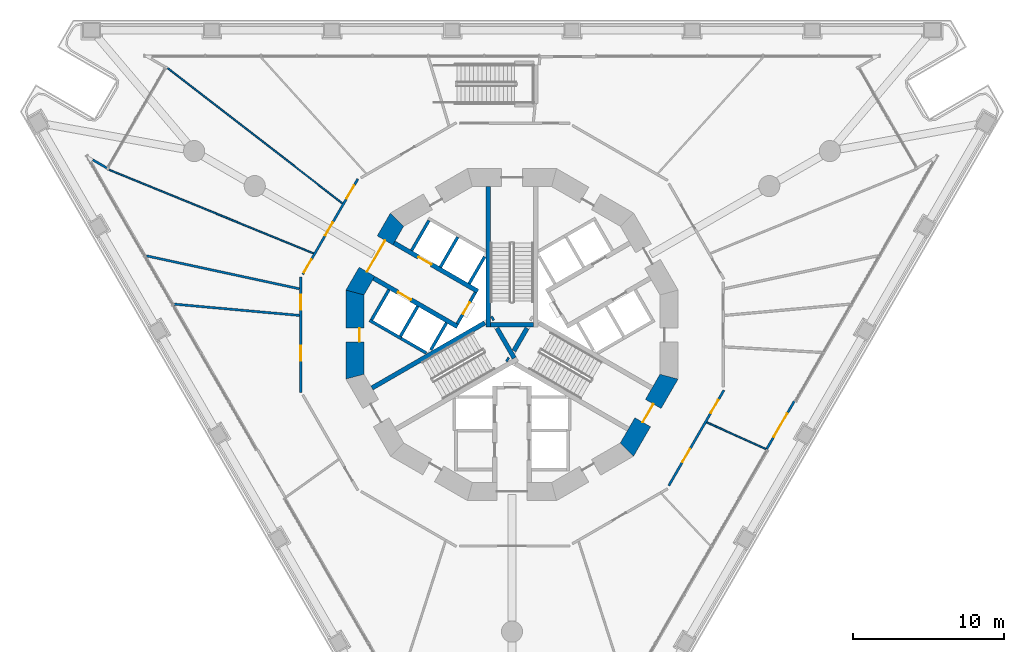
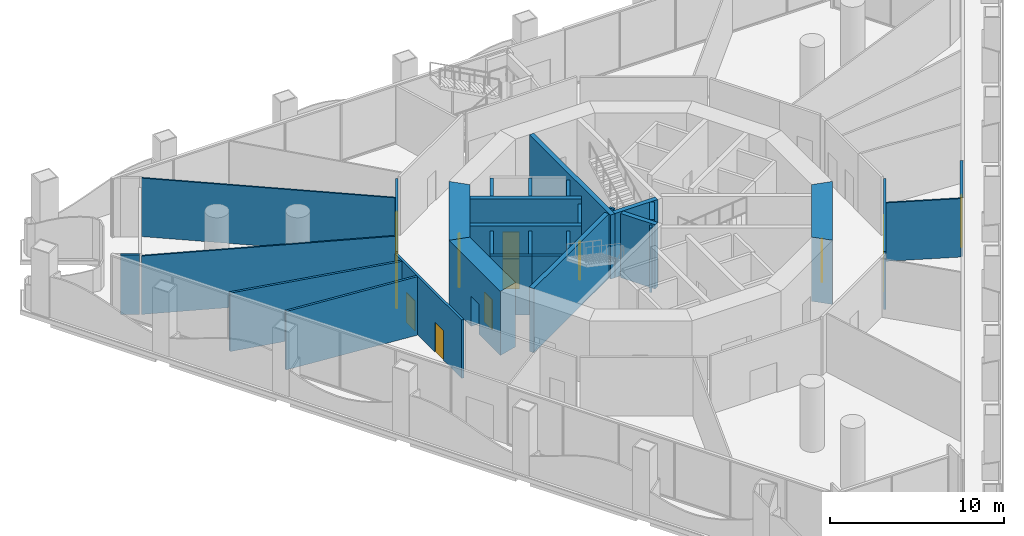
# One storey, part 11 of 21: 31 walls, 14 doors, 14 openings.
"""IFC4 building model written with IfcOpenShell, lengths in metres."""

from ifc_helpers import new_model, si_unit, direction, frame, frame_2d, origin, place, context, subcontext, project, spatial, polyline, rectangle, outline, extrude, material, layer, layer_set, type_object, element, fill, save


model = new_model("IFC4")

# Units and contexts
model_context = context("Model", 3, precision=1e-05, world=origin(), true_north=direction((0.0, 1.0)))
body_context = subcontext(model_context, "Body", "Model", "MODEL_VIEW")
ifc_project = project(units=[si_unit("LENGTHUNIT", "METRE"), si_unit("AREAUNIT", "SQUARE_METRE"), si_unit("VOLUMEUNIT", "CUBIC_METRE"), si_unit("PLANEANGLEUNIT", "RADIAN"), si_unit("MASSUNIT", "GRAM", prefix="KILO")], contexts=[model_context])

# Site, building, storey
site_placement = place(None, origin())
site = spatial("IfcSite", under=ifc_project, at=site_placement, CompositionType="ELEMENT")
building_placement = place(site_placement, origin())
building = spatial("IfcBuilding", under=site, at=building_placement, Name="Trine Commons Tower", CompositionType="ELEMENT")
storey_placement = place(building_placement, frame((0.0, 0.0, 13.5)))
storey = spatial("IfcBuildingStorey", under=building, at=storey_placement, Name="L02", CompositionType="ELEMENT", Elevation=13.5)

# Walls
ifc_material_1 = material(Name="Plasterboard on steel stud", Category="steel")
ifc_layer_1 = layer(ifc_material_1, 0.14990234375)
ifc_layer_set_1 = layer_set([ifc_layer_1], Name="Plasterboard on steel stud")
wall_type_1 = type_object("IfcWallType", Name="Compartment wall 150 mm, EI 60", PredefinedType="PARTITIONING", material=ifc_layer_set_1)
wall_1_placement = place(storey_placement, frame((55.756103515625, 67.722412109375, 0.0), z_axis=(0.0, 0.0, 1.0), x_axis=(0.977577309555, -0.210576835963, 0.0)))
element("IfcWall", 1, at=wall_1_placement, inside=storey, type_object=wall_type_1, Name="Partition P2002", PredefinedType="PARTITIONING", context=body_context, shape_type="SweptSolid", body=[
    extrude(rectangle(XDim=10.374267578125, YDim=0.14990234375, at=frame_2d((5.18701171875, 0.0))), origin(), (0.0, 0.0, 1.0), 4.10009765625),
])
wall_2_placement = place(storey_placement, frame((57.60546875, 64.51904296875, 0.0), z_axis=(0.0, 0.0, 1.0), x_axis=(0.995961824539, -0.089777748139, 0.0)))
element("IfcWall", 2, at=wall_2_placement, inside=storey, type_object=wall_type_1, Name="Partition P2004", PredefinedType="PARTITIONING", context=body_context, shape_type="SweptSolid", body=[
    extrude(rectangle(XDim=8.3349609375, YDim=0.14990234375, at=frame_2d((4.16748046875, 0.0))), origin(), (0.0, 0.0, 1.0), 4.10009765625),
])

# Wall, openings, doors
wall_3_placement = place(storey_placement, frame((65.988525390625, 58.670654296875, 0.0), z_axis=(0.0, 0.0, 1.0), x_axis=(0.0, 1.0, 0.0)))
wall_3 = element("IfcWall", 3, at=wall_3_placement, inside=storey, type_object=wall_type_1, Name="Partition P2007", PredefinedType="PARTITIONING", context=body_context, shape_type="SweptSolid", body=[
    extrude(rectangle(XDim=7.65869140625, YDim=0.14990234375, at=frame_2d((3.829345703125, 0.0))), origin(), (0.0, 0.0, 1.0), 4.10009765625),
])
opening_1_placement = place(wall_3_placement, frame((2.083984375, 0.0, 0.0)))
opening_1 = element("IfcOpeningElement", 4, at=opening_1_placement, cuts=wall_3, Name="Opening D-P201", PredefinedType="OPENING", context=body_context, shape_type="SweptSolid", body=[
    extrude(rectangle(XDim=1.0, YDim=2.10009765625, at=frame_2d((0.5, 1.050048828125))), frame((0.0, 0.0849609375, 0.0), z_axis=(0.0, -1.0, 0.0), x_axis=(1.0, 0.0, 0.0)), (0.0, 0.0, 1.0), 0.169921875),
])
opening_2_placement = place(wall_3_placement, frame((5.47021484375, 0.0, 0.0)))
opening_2 = element("IfcOpeningElement", 5, at=opening_2_placement, cuts=wall_3, Name="Opening D-P202", PredefinedType="OPENING", context=body_context, shape_type="SweptSolid", body=[
    extrude(rectangle(XDim=1.0, YDim=2.10009765625, at=frame_2d((0.5, 1.050048828125))), frame((0.0, 0.0849609375, 0.0), z_axis=(0.0, -1.0, 0.0), x_axis=(1.0, 0.0, 0.0)), (0.0, 0.0, 1.0), 0.169921875),
])
ifc_material_2 = material(Name="Timber fire door set", Category="wood")
door_type_1 = type_object("IfcDoorType", Name="Single swing door 1000x2100, FD30S", OperationType="SINGLE_SWING_LEFT", PredefinedType="DOOR", material=ifc_material_2)
door_1_placement = place(opening_1_placement, origin())
door_1 = element("IfcDoor", 6, at=door_1_placement, inside=storey, type_object=door_type_1, Name="Door D-P201", OperationType="SINGLE_SWING_LEFT", OverallHeight=2.10009765625, OverallWidth=1.0, PredefinedType="DOOR", context=body_context, shape_type="SweptSolid", body=[
    extrude(rectangle(XDim=1.0, YDim=2.10009765625, at=frame_2d((0.5, 1.050048828125))), frame((0.0, 0.02490234375, 0.0), z_axis=(0.0, -1.0, 0.0), x_axis=(1.0, 0.0, 0.0)), (0.0, 0.0, 1.0), 0.050048828125),
])
fill(opening_1, door_1)
door_2_placement = place(opening_2_placement, origin())
door_2 = element("IfcDoor", 7, at=door_2_placement, inside=storey, type_object=door_type_1, Name="Door D-P202", OperationType="SINGLE_SWING_LEFT", OverallHeight=2.10009765625, OverallWidth=1.0, PredefinedType="DOOR", context=body_context, shape_type="SweptSolid", body=[
    extrude(rectangle(XDim=1.0, YDim=2.10009765625, at=frame_2d((0.5, 1.050048828125))), frame((0.0, 0.02490234375, 0.0), z_axis=(0.0, -1.0, 0.0), x_axis=(1.0, 0.0, 0.0)), (0.0, 0.0, 1.0), 0.050048828125),
])
fill(opening_2, door_2)

wall_4_placement = place(storey_placement, frame((66.12841796875, 66.496826171875, 0.0), z_axis=(0.0, 0.0, 1.0), x_axis=(0.500000231294, 0.866025270247, 0.0)))
wall_4 = element("IfcWall", 8, at=wall_4_placement, inside=storey, type_object=wall_type_1, Name="Partition P2009", PredefinedType="PARTITIONING", context=body_context, shape_type="SweptSolid", body=[
    extrude(rectangle(XDim=7.3037109375, YDim=0.14990234375, at=frame_2d((3.65185546875, 0.0))), origin(), (0.0, 0.0, 1.0), 4.10009765625),
])
opening_3_placement = place(wall_4_placement, frame((0.144287109375, 0.0, 0.0)))
opening_3 = element("IfcOpeningElement", 9, at=opening_3_placement, cuts=wall_4, Name="Opening D-P204", PredefinedType="OPENING", context=body_context, shape_type="SweptSolid", body=[
    extrude(rectangle(XDim=1.0, YDim=2.10009765625, at=frame_2d((0.5, 1.050048828125))), frame((0.0, 0.0849609375, 0.0), z_axis=(0.0, -1.0, 0.0), x_axis=(1.0, 0.0, 0.0)), (0.0, 0.0, 1.0), 0.169921875),
])
opening_4_placement = place(wall_4_placement, frame((2.974365234375, 0.0, 0.0)))
opening_4 = element("IfcOpeningElement", 10, at=opening_4_placement, cuts=wall_4, Name="Opening D-P205", PredefinedType="OPENING", context=body_context, shape_type="SweptSolid", body=[
    extrude(rectangle(XDim=1.0, YDim=2.10009765625, at=frame_2d((0.5, 1.050048828125))), frame((0.0, 0.0849609375, 0.0), z_axis=(0.0, -1.0, 0.0), x_axis=(1.0, 0.0, 0.0)), (0.0, 0.0, 1.0), 0.169921875),
])
opening_5_placement = place(wall_4_placement, frame((5.8046875, 0.0, 0.0)))
opening_5 = element("IfcOpeningElement", 11, at=opening_5_placement, cuts=wall_4, Name="Opening D-P206", PredefinedType="OPENING", context=body_context, shape_type="SweptSolid", body=[
    extrude(rectangle(XDim=1.0, YDim=2.10009765625, at=frame_2d((0.5, 1.050048828125))), frame((0.0, 0.0849609375, 0.0), z_axis=(0.0, -1.0, 0.0), x_axis=(1.0, 0.0, 0.0)), (0.0, 0.0, 1.0), 0.169921875),
])
door_3_placement = place(opening_3_placement, origin())
door_3 = element("IfcDoor", 12, at=door_3_placement, inside=storey, type_object=door_type_1, Name="Door D-P204", OperationType="SINGLE_SWING_LEFT", OverallHeight=2.10009765625, OverallWidth=1.0, PredefinedType="DOOR", context=body_context, shape_type="SweptSolid", body=[
    extrude(rectangle(XDim=1.0, YDim=2.10009765625, at=frame_2d((0.5, 1.050048828125))), frame((0.0, 0.02490234375, 0.0), z_axis=(0.0, -1.0, 0.0), x_axis=(1.0, 0.0, 0.0)), (0.0, 0.0, 1.0), 0.050048828125),
])
fill(opening_3, door_3)
door_4_placement = place(opening_4_placement, origin())
door_4 = element("IfcDoor", 13, at=door_4_placement, inside=storey, type_object=door_type_1, Name="Door D-P205", OperationType="SINGLE_SWING_LEFT", OverallHeight=2.10009765625, OverallWidth=1.0, PredefinedType="DOOR", context=body_context, shape_type="SweptSolid", body=[
    extrude(rectangle(XDim=1.0, YDim=2.10009765625, at=frame_2d((0.5, 1.050048828125))), frame((0.0, 0.02490234375, 0.0), z_axis=(0.0, -1.0, 0.0), x_axis=(1.0, 0.0, 0.0)), (0.0, 0.0, 1.0), 0.050048828125),
])
fill(opening_4, door_4)
door_5_placement = place(opening_5_placement, origin())
door_5 = element("IfcDoor", 14, at=door_5_placement, inside=storey, type_object=door_type_1, Name="Door D-P206", OperationType="SINGLE_SWING_LEFT", OverallHeight=2.10009765625, OverallWidth=1.0, PredefinedType="DOOR", context=body_context, shape_type="SweptSolid", body=[
    extrude(rectangle(XDim=1.0, YDim=2.10009765625, at=frame_2d((0.5, 1.050048828125))), frame((0.0, 0.02490234375, 0.0), z_axis=(0.0, -1.0, 0.0), x_axis=(1.0, 0.0, 0.0)), (0.0, 0.0, 1.0), 0.050048828125),
])
fill(opening_5, door_5)

wall_5_placement = place(storey_placement, frame((94.049072265625, 58.810546875, 0.0), z_axis=(0.0, 0.0, 1.0), x_axis=(-0.500000231294, -0.866025270247, 0.0)))
wall_5 = element("IfcWall", 15, at=wall_5_placement, inside=storey, type_object=wall_type_1, Name="Partition P2025", PredefinedType="PARTITIONING", context=body_context, shape_type="SweptSolid", body=[
    extrude(rectangle(XDim=7.3037109375, YDim=0.14990234375, at=frame_2d((3.65185546875, 0.0))), origin(), (0.0, 0.0, 1.0), 4.10009765625),
])
opening_6_placement = place(wall_5_placement, frame((4.501708984375, 0.0, 0.0)))
opening_6 = element("IfcOpeningElement", 16, at=opening_6_placement, cuts=wall_5, Name="Opening D-P212", PredefinedType="OPENING", context=body_context, shape_type="SweptSolid", body=[
    extrude(rectangle(XDim=1.0, YDim=2.10009765625, at=frame_2d((0.5, 1.050048828125))), frame((0.0, 0.0849609375, 0.0), z_axis=(0.0, -1.0, 0.0), x_axis=(1.0, 0.0, 0.0)), (0.0, 0.0, 1.0), 0.169921875),
])
opening_7_placement = place(wall_5_placement, frame((0.747314453125, 0.0, 0.0)))
opening_7 = element("IfcOpeningElement", 17, at=opening_7_placement, cuts=wall_5, Name="Opening D-P213", PredefinedType="OPENING", context=body_context, shape_type="SweptSolid", body=[
    extrude(rectangle(XDim=1.0, YDim=2.10009765625, at=frame_2d((0.5, 1.050048828125))), frame((0.0, 0.0849609375, 0.0), z_axis=(0.0, -1.0, 0.0), x_axis=(1.0, 0.0, 0.0)), (0.0, 0.0, 1.0), 0.169921875),
])
door_6_placement = place(opening_6_placement, origin())
door_6 = element("IfcDoor", 18, at=door_6_placement, inside=storey, type_object=door_type_1, Name="Door D-P212", OperationType="SINGLE_SWING_LEFT", OverallHeight=2.10009765625, OverallWidth=1.0, PredefinedType="DOOR", context=body_context, shape_type="SweptSolid", body=[
    extrude(rectangle(XDim=1.0, YDim=2.10009765625, at=frame_2d((0.5, 1.050048828125))), frame((0.0, 0.02490234375, 0.0), z_axis=(0.0, -1.0, 0.0), x_axis=(1.0, 0.0, 0.0)), (0.0, 0.0, 1.0), 0.050048828125),
])
fill(opening_6, door_6)
door_7_placement = place(opening_7_placement, origin())
door_7 = element("IfcDoor", 19, at=door_7_placement, inside=storey, type_object=door_type_1, Name="Door D-P213", OperationType="SINGLE_SWING_LEFT", OverallHeight=2.10009765625, OverallWidth=1.0, PredefinedType="DOOR", context=body_context, shape_type="SweptSolid", body=[
    extrude(rectangle(XDim=1.0, YDim=2.10009765625, at=frame_2d((0.5, 1.050048828125))), frame((0.0, 0.02490234375, 0.0), z_axis=(0.0, -1.0, 0.0), x_axis=(1.0, 0.0, 0.0)), (0.0, 0.0, 1.0), 0.050048828125),
])
fill(opening_7, door_7)

# Wall, opening, door
ifc_material_3 = material(Name="Aluminium-framed insulated wall panel", Category="aluminium")
ifc_layer_2 = layer(ifc_material_3, 0.14990234375)
ifc_layer_set_2 = layer_set([ifc_layer_2], Name="Aluminium-framed insulated wall panel")
wall_type_2 = type_object("IfcWallType", Name="Glazed entrance wall 150, EI 60", PredefinedType="SOLIDWALL", material=ifc_layer_set_2)
wall_6_placement = place(storey_placement, frame((98.72607421875, 58.095458984375, 0.0), z_axis=(0.0, 0.0, 1.0), x_axis=(-0.499979560991, -0.86603720393, 0.0)))
wall_6 = element("IfcWall", 20, at=wall_6_placement, inside=storey, type_object=wall_type_2, Name="Glazed entrance wall L02 F2 6", PredefinedType="SOLIDWALL", context=body_context, shape_type="SweptSolid", body=[
    extrude(rectangle(XDim=3.698974609375, YDim=0.14990234375, at=frame_2d((1.849609375, 0.0))), origin(), (0.0, 0.0, 1.0), 4.14990234375),
])
opening_8_placement = place(wall_6_placement, frame((0.949462890625, 0.0, 0.0)))
opening_8 = element("IfcOpeningElement", 21, at=opening_8_placement, cuts=wall_6, Name="Opening SD-L02-F2-06", PredefinedType="OPENING", context=body_context, shape_type="SweptSolid", body=[
    extrude(rectangle(XDim=1.800048828125, YDim=2.39990234375, at=frame_2d((0.89990234375, 1.199951171875))), frame((0.0, 0.0849609375, 0.0), z_axis=(0.0, -1.0, 0.0), x_axis=(1.0, 0.0, 0.0)), (0.0, 0.0, 1.0), 0.169921875),
])
ifc_material_4 = material(Name="Anodised aluminium frame with double glazing", Category="aluminium")
door_type_2 = type_object("IfcDoorType", Name="Sliding double door 1800x2400", OperationType="DOUBLE_DOOR_SLIDING", PredefinedType="DOOR", material=ifc_material_4)
door_8_placement = place(opening_8_placement, origin())
door_8 = element("IfcDoor", 22, at=door_8_placement, inside=storey, type_object=door_type_2, Name="Loggia door L02 F2 6", OperationType="DOUBLE_DOOR_SLIDING", OverallHeight=2.39990234375, OverallWidth=1.800048828125, PredefinedType="DOOR", context=body_context, shape_type="SweptSolid", body=[
    extrude(rectangle(XDim=1.800048828125, YDim=2.39990234375, at=frame_2d((0.89990234375, 1.199951171875))), frame((0.0, 0.02490234375, 0.0), z_axis=(0.0, -1.0, 0.0), x_axis=(1.0, 0.0, 0.0)), (0.0, 0.0, 1.0), 0.050048828125),
])
fill(opening_8, door_8)

# Wall
ifc_layer_3 = layer(ifc_material_3, 0.14990234375)
ifc_layer_set_3 = layer_set([ifc_layer_3], Name="Aluminium-framed insulated wall panel")
wall_type_3 = type_object("IfcWallType", Name="Glazed frame wall 150, EI 60", PredefinedType="SOLIDWALL", material=ifc_layer_set_3)
wall_7_placement = place(storey_placement, frame((52.074462890625, 74.159912109375, 0.0), z_axis=(0.0, 0.0, 1.0), x_axis=(0.865989100438, -0.500062873969, 0.0)))
element("IfcWall", 23, at=wall_7_placement, inside=storey, type_object=wall_type_3, Name="Glazed frame wall L02 R1", PredefinedType="SOLIDWALL", context=body_context, shape_type="SweptSolid", body=[
    extrude(outline(polyline([(0.1494140625, 0.074951171875), (0.1494140625, -0.074951171875), (1.235107421875, -0.074951171875), (1.235107421875, 0.074951171875), (0.1494140625, 0.074951171875)])), origin(), (0.0, 0.0, 1.0), 4.14990234375),
])

# Wall, opening, door
ifc_material_5 = material(Name="Fire-rated gypsum shaft wall system")
ifc_layer_4 = layer(ifc_material_5, 0.199951171875)
ifc_layer_set_4 = layer_set([ifc_layer_4], Name="Fire-rated gypsum shaft wall system")
wall_type_4 = type_object("IfcWallType", Name="Lobby end wall 200 mm, EI 120", PredefinedType="PARTITIONING", material=ifc_layer_set_4)
wall_8_placement = place(storey_placement, frame((77.569091796875, 65.2890625, 0.0), z_axis=(0.0, 0.0, 1.0), x_axis=(-0.50012165622, -0.865955154139, 0.0)))
wall_8 = element("IfcWall", 24, at=wall_8_placement, inside=storey, type_object=wall_type_4, Name="Lobby end wall L02", PredefinedType="PARTITIONING", context=body_context, shape_type="SweptSolid", body=[
    extrude(rectangle(XDim=2.39990234375, YDim=0.199951171875, at=frame_2d((1.199951171875, 0.0))), origin(), (0.0, 0.0, 1.0), 4.14990234375),
])
opening_9_placement = place(wall_8_placement, frame((0.749755859375, 0.0, 0.0)))
opening_9 = element("IfcOpeningElement", 25, at=opening_9_placement, cuts=wall_8, Name="Opening K05.07", PredefinedType="OPENING", context=body_context, shape_type="SweptSolid", body=[
    extrude(rectangle(XDim=0.89990234375, YDim=2.10009765625, at=frame_2d((0.449951171875, 1.050048828125))), frame((0.0, 0.10986328125, 0.0), z_axis=(0.0, -1.0, 0.0), x_axis=(1.0, 0.0, 0.0)), (0.0, 0.0, 1.0), 0.219970703125),
])
ifc_material_6 = material(Name="Steel door leaf, fire-rated", Category="steel")
door_type_3 = type_object("IfcDoorType", Name="Riser access door, single leaf 900 x 2100, FD60", OperationType="SINGLE_SWING_LEFT", PredefinedType="DOOR", material=ifc_material_6)
door_9_placement = place(opening_9_placement, frame((0.89990234375, 0.0, 0.0), z_axis=(0.0, 0.0, 1.0), x_axis=(-1.0, 0.0, 0.0)))
door_9 = element("IfcDoor", 26, at=door_9_placement, inside=storey, type_object=door_type_3, Name="Riser door, Mechanical riser L02", OperationType="SINGLE_SWING_RIGHT", OverallHeight=2.10009765625, OverallWidth=0.89990234375, PredefinedType="DOOR", context=body_context, shape_type="SweptSolid", body=[
    extrude(rectangle(XDim=0.89990234375, YDim=2.10009765625, at=frame_2d((0.449951171875, 1.050048828125))), frame((0.0, 0.02490234375, 0.0), z_axis=(0.0, -1.0, 0.0), x_axis=(1.0, 0.0, 0.0)), (0.0, 0.0, 1.0), 0.050048828125),
])
fill(opening_9, door_9)

# Walls
ifc_layer_5 = layer(ifc_material_1, 0.10009765625)
ifc_layer_set_5 = layer_set([ifc_layer_5], Name="Plasterboard on steel stud")
wall_type_5 = type_object("IfcWallType", Name="Partition wall 100 mm stud, not rated", PredefinedType="PARTITIONING", material=ifc_layer_set_5)
wall_9_placement = place(storey_placement, frame((53.2216796875, 73.45703125, 0.0), z_axis=(0.0, 0.0, 1.0), x_axis=(0.925517608027, -0.378704577781, 0.0)))
element("IfcWall", 27, at=wall_9_placement, inside=storey, type_object=wall_type_5, Name="Partition P2001", PredefinedType="PARTITIONING", context=body_context, shape_type="SweptSolid", body=[
    extrude(rectangle(XDim=14.710205078125, YDim=0.10009765625, at=frame_2d((7.35498046875, 0.0))), origin(), (0.0, 0.0, 1.0), 4.10009765625),
])
wall_10_placement = place(storey_placement, frame((57.121826171875, 80.212158203125, 0.0), z_axis=(0.0, 0.0, 1.0), x_axis=(0.790722930143, -0.612174197224, 0.0)))
element("IfcWall", 28, at=wall_10_placement, inside=storey, type_object=wall_type_5, Name="Partition P2003", PredefinedType="PARTITIONING", context=body_context, shape_type="SweptSolid", body=[
    extrude(rectangle(XDim=14.7099609375, YDim=0.10009765625, at=frame_2d((7.35498046875, 0.0))), origin(), (0.0, 0.0, 1.0), 4.10009765625),
])
wall_11_placement = place(storey_placement, frame((92.91259765625, 56.68212890625, 0.0), z_axis=(0.0, 0.0, 1.0), x_axis=(0.911727655529, -0.410795182718, 0.0)))
element("IfcWall", 29, at=wall_11_placement, inside=storey, type_object=wall_type_5, Name="Partition P2028", PredefinedType="PARTITIONING", context=body_context, shape_type="SweptSolid", body=[
    extrude(rectangle(XDim=4.314697265625, YDim=0.10009765625, at=frame_2d((2.1572265625, 0.0))), origin(), (0.0, 0.0, 1.0), 4.10009765625),
])

# Wall, opening, door
ifc_material_7 = material(Name="Concrete C80/95", Category="concrete")
ifc_layer_6 = layer(ifc_material_7, 1.199951171875)
ifc_layer_set_6 = layer_set([ifc_layer_6], Name="Concrete C80/95")
wall_type_6 = type_object("IfcWallType", Name="RC shear wall 1200 mm, C80/95", PredefinedType="SHEAR", material=ifc_layer_set_6)
wall_12_placement = place(storey_placement, frame((72.45849609375, 70.260986328125, 0.0), z_axis=(0.0, 0.0, 1.0), x_axis=(-0.499979111662, -0.866037463336, 0.0)))
wall_12 = element("IfcWall", 30, at=wall_12_placement, inside=storey, type_object=wall_type_6, Name="Core wall CWA-06 L02", PredefinedType="SHEAR", context=body_context, shape_type="SweptSolid", body=[
    extrude(outline(polyline([(0.0, -0.60009765625), (5.901123046875, -0.60009765625), (5.57958984375, 0.60009765625), (0.321533203125, 0.60009765625), (0.0, -0.60009765625)])), origin(), (0.0, 0.0, 1.0), 4.5),
])
opening_10_placement = place(wall_12_placement, frame((1.75048828125, 0.0, 0.0)))
opening_10 = element("IfcOpeningElement", 31, at=opening_10_placement, cuts=wall_12, Name="Opening K05.06", PredefinedType="OPENING", context=body_context, shape_type="SweptSolid", body=[
    extrude(rectangle(XDim=2.39990234375, YDim=2.10009765625, at=frame_2d((1.199951171875, 1.050048828125))), frame((0.0, 0.60986328125, 0.0), z_axis=(0.0, -1.0, 0.0), x_axis=(1.0, 0.0, 0.0)), (0.0, 0.0, 1.0), 1.219970703125),
])
ifc_material_8 = material(Name="Steel door leaves, fire-rated", Category="steel")
door_type_4 = type_object("IfcDoorType", Name="Lobby door, double leaf 2400 x 2100, FD60", OperationType="DOUBLE_DOOR_SINGLE_SWING", PredefinedType="DOOR", material=ifc_material_8)
door_10_placement = place(opening_10_placement, origin())
door_10 = element("IfcDoor", 32, at=door_10_placement, inside=storey, type_object=door_type_4, Name="Lobby door, Passenger lift lobby B L02", OperationType="DOUBLE_DOOR_SINGLE_SWING", OverallHeight=2.10009765625, OverallWidth=2.39990234375, PredefinedType="DOOR", context=body_context, shape_type="SweptSolid", body=[
    extrude(rectangle(XDim=2.39990234375, YDim=2.10009765625, at=frame_2d((1.199951171875, 1.050048828125))), frame((0.0, 0.02490234375, 0.0), z_axis=(0.0, -1.0, 0.0), x_axis=(1.0, 0.0, 0.0)), (0.0, 0.0, 1.0), 0.050048828125),
])
fill(opening_10, door_10)

wall_13_placement = place(storey_placement, frame((69.58837890625, 65.450439453125, 0.0), z_axis=(0.0, 0.0, 1.0), x_axis=(0.0, -1.0, 0.0)))
wall_13 = element("IfcWall", 33, at=wall_13_placement, inside=storey, type_object=wall_type_6, Name="Core wall CWA-07 L02", PredefinedType="SHEAR", context=body_context, shape_type="SweptSolid", body=[
    extrude(outline(polyline([(0.0, -0.60009765625), (5.90087890625, -0.60009765625), (5.57958984375, 0.60009765625), (0.321533203125, 0.60009765625), (0.0, -0.60009765625)])), origin(), (0.0, 0.0, 1.0), 4.5),
])
opening_11_placement = place(wall_13_placement, frame((2.525390625, 0.0, 0.0)))
opening_11 = element("IfcOpeningElement", 34, at=opening_11_placement, cuts=wall_13, Name="Opening K05.13", PredefinedType="OPENING", context=body_context, shape_type="SweptSolid", body=[
    extrude(rectangle(XDim=0.89990234375, YDim=2.10009765625, at=frame_2d((0.449951171875, 1.050048828125))), frame((0.0, 0.60986328125, 0.0), z_axis=(0.0, -1.0, 0.0), x_axis=(1.0, 0.0, 0.0)), (0.0, 0.0, 1.0), 1.219970703125),
])
door_type_5 = type_object("IfcDoorType", Name="Core room door, single leaf 900 x 2100, FD30S", OperationType="SINGLE_SWING_LEFT", PredefinedType="DOOR", material=ifc_material_6)
door_11_placement = place(opening_11_placement, origin())
door_11 = element("IfcDoor", 35, at=door_11_placement, inside=storey, type_object=door_type_5, Name="Door to Pantry L02", OperationType="SINGLE_SWING_RIGHT", OverallHeight=2.10009765625, OverallWidth=0.89990234375, PredefinedType="DOOR", context=body_context, shape_type="SweptSolid", body=[
    extrude(rectangle(XDim=0.89990234375, YDim=2.10009765625, at=frame_2d((0.449951171875, 1.050048828125))), frame((0.0, 0.3251953125, 0.0), z_axis=(0.0, -1.0, 0.0), x_axis=(1.0, 0.0, 0.0)), (0.0, 0.0, 1.0), 0.050048828125),
])
fill(opening_11, door_11)

wall_14_placement = place(storey_placement, frame((87.54150390625, 54.739013671875, 0.0), z_axis=(0.0, 0.0, 1.0), x_axis=(0.499979111662, 0.866037463336, 0.0)))
wall_14 = element("IfcWall", 36, at=wall_14_placement, inside=storey, type_object=wall_type_6, Name="Core wall CWA-12 L02", PredefinedType="SHEAR", context=body_context, shape_type="SweptSolid", body=[
    extrude(outline(polyline([(0.0, -0.60009765625), (5.901123046875, -0.60009765625), (5.57958984375, 0.60009765625), (0.321533203125, 0.60009765625), (0.0, -0.60009765625)])), origin(), (0.0, 0.0, 1.0), 4.5),
])
opening_12_placement = place(wall_14_placement, frame((2.25048828125, 0.0, 0.0)))
opening_12 = element("IfcOpeningElement", 37, at=opening_12_placement, cuts=wall_14, Name="Opening K05.03", PredefinedType="OPENING", context=body_context, shape_type="SweptSolid", body=[
    extrude(rectangle(XDim=1.39990234375, YDim=2.10009765625, at=frame_2d((0.699951171875, 1.050048828125))), frame((0.0, 0.60986328125, 0.0), z_axis=(0.0, -1.0, 0.0), x_axis=(1.0, 0.0, 0.0)), (0.0, 0.0, 1.0), 1.219970703125),
])
door_type_6 = type_object("IfcDoorType", Name="Stair door, double leaf 1400 x 2100, FD90", OperationType="DOUBLE_DOOR_SINGLE_SWING", PredefinedType="DOOR", material=ifc_material_8)
door_12_placement = place(opening_12_placement, origin())
door_12 = element("IfcDoor", 38, at=door_12_placement, inside=storey, type_object=door_type_6, Name="Stair door to Exit stair ST3A L02", OperationType="DOUBLE_DOOR_SINGLE_SWING", OverallHeight=2.10009765625, OverallWidth=1.39990234375, PredefinedType="DOOR", context=body_context, shape_type="SweptSolid", body=[
    extrude(rectangle(XDim=1.39990234375, YDim=2.10009765625, at=frame_2d((0.699951171875, 1.050048828125))), frame((0.0, 0.02490234375, 0.0), z_axis=(0.0, -1.0, 0.0), x_axis=(1.0, 0.0, 0.0)), (0.0, 0.0, 1.0), 0.050048828125),
])
fill(opening_12, door_12)

ifc_layer_7 = layer(ifc_material_7, 0.300048828125)
ifc_layer_set_7 = layer_set([ifc_layer_7], Name="Concrete C80/95")
wall_type_7 = type_object("IfcWallType", Name="RC shear wall 300 mm, C80/95", PredefinedType="SHEAR", material=ifc_layer_set_7)
wall_15_placement = place(storey_placement, frame((76.381103515625, 63.031005859375, 0.0), z_axis=(0.0, 0.0, 1.0), x_axis=(-0.866032150378, 0.499988314375, 0.0)))
wall_15 = element("IfcWall", 39, at=wall_15_placement, inside=storey, type_object=wall_type_7, Name="Core cross wall SWA-01 L02", PredefinedType="SHEAR", context=body_context, shape_type="SweptSolid", body=[
    extrude(rectangle(XDim=6.412353515625, YDim=0.300048828125, at=frame_2d((3.2060546875, 0.0))), origin(), (0.0, 0.0, 1.0), 4.5),
])
opening_13_placement = place(wall_15_placement, frame((3.55029296875, 0.0, 0.0)))
opening_13 = element("IfcOpeningElement", 40, at=opening_13_placement, cuts=wall_15, Name="Opening LD3", PredefinedType="OPENING", context=body_context, shape_type="SweptSolid", body=[
    extrude(rectangle(XDim=1.0, YDim=2.10009765625, at=frame_2d((0.5, 1.050048828125))), frame((0.0, 0.159912109375, 0.0), z_axis=(0.0, -1.0, 0.0), x_axis=(1.0, 0.0, 0.0)), (0.0, 0.0, 1.0), 0.320068359375),
])
ifc_material_9 = material(Name="Stainless steel sliding door leaves", Category="steel")
door_type_7 = type_object("IfcDoorType", Name="Lift landing door, centre-opening sliding 1000 x 2100, FD90", OperationType="DOUBLE_DOOR_SLIDING", PredefinedType="DOOR", material=ifc_material_9)
door_13_placement = place(opening_13_placement, origin())
door_13 = element("IfcDoor", 41, at=door_13_placement, inside=storey, type_object=door_type_7, Name="Lift landing door LR3 L02", OperationType="DOUBLE_DOOR_SLIDING", OverallHeight=2.10009765625, OverallWidth=1.0, PredefinedType="DOOR", context=body_context, shape_type="SweptSolid", body=[
    extrude(rectangle(XDim=1.0, YDim=2.10009765625, at=frame_2d((0.5, 1.050048828125))), frame((0.0, 0.02490234375, 0.0), z_axis=(0.0, -1.0, 0.0), x_axis=(1.0, 0.0, 0.0)), (0.0, 0.0, 1.0), 0.050048828125),
])
fill(opening_13, door_13)

wall_16_placement = place(storey_placement, frame((77.73095703125, 65.368896484375, 0.0), z_axis=(0.0, 0.0, 1.0), x_axis=(-0.866022631842, 0.500004801114, 0.0)))
wall_16 = element("IfcWall", 42, at=wall_16_placement, inside=storey, type_object=wall_type_7, Name="Core cross wall SWA-02 L02", PredefinedType="SHEAR", context=body_context, shape_type="SweptSolid", body=[
    extrude(rectangle(XDim=6.412109375, YDim=0.300048828125, at=frame_2d((3.2060546875, 0.0))), origin(), (0.0, 0.0, 1.0), 4.5),
])
opening_14_placement = place(wall_16_placement, frame((3.55029296875, 0.0, 0.0)))
opening_14 = element("IfcOpeningElement", 43, at=opening_14_placement, cuts=wall_16, Name="Opening LD4", PredefinedType="OPENING", context=body_context, shape_type="SweptSolid", body=[
    extrude(rectangle(XDim=1.0, YDim=2.10009765625, at=frame_2d((0.5, 1.050048828125))), frame((0.0, 0.159912109375, 0.0), z_axis=(0.0, -1.0, 0.0), x_axis=(1.0, 0.0, 0.0)), (0.0, 0.0, 1.0), 0.320068359375),
])
door_14_placement = place(opening_14_placement, origin())
door_14 = element("IfcDoor", 44, at=door_14_placement, inside=storey, type_object=door_type_7, Name="Lift landing door LR4 L02", OperationType="DOUBLE_DOOR_SLIDING", OverallHeight=2.10009765625, OverallWidth=1.0, PredefinedType="DOOR", context=body_context, shape_type="SweptSolid", body=[
    extrude(rectangle(XDim=1.0, YDim=2.10009765625, at=frame_2d((0.5, 1.050048828125))), frame((0.0, 0.02490234375, 0.0), z_axis=(0.0, -1.0, 0.0), x_axis=(1.0, 0.0, 0.0)), (0.0, 0.0, 1.0), 0.050048828125),
])
fill(opening_14, door_14)

# Walls
wall_17_placement = place(storey_placement, frame((78.199951171875, 63.280029296875, 0.0), z_axis=(0.0, 0.0, 1.0), x_axis=(-0.865965399159, -0.500103916661, 0.0)))
element("IfcWall", 45, at=wall_17_placement, inside=storey, type_object=wall_type_7, Name="Core cross wall SWA-07 L02", PredefinedType="SHEAR", context=body_context, shape_type="SweptSolid", body=[
    extrude(rectangle(XDim=8.642333984375, YDim=0.300048828125, at=frame_2d((4.3212890625, 0.0))), origin(), (0.0, 0.0, 1.0), 4.5),
])
wall_18_placement = place(storey_placement, frame((78.425048828125, 63.0009765625, 0.0), z_axis=(0.0, 0.0, 1.0), x_axis=(0.0, 1.0, 0.0)))
element("IfcWall", 46, at=wall_18_placement, inside=storey, type_object=wall_type_7, Name="Core cross wall SWA-08 L02", PredefinedType="SHEAR", context=body_context, shape_type="SweptSolid", body=[
    extrude(rectangle(XDim=9.31103515625, YDim=0.300048828125, at=frame_2d((4.655517578125, 0.0))), origin(), (0.0, 0.0, 1.0), 4.5),
])
wall_19_placement = place(storey_placement, frame((78.779052734375, 63.614013671875, 0.0), z_axis=(0.0, 0.0, 1.0), x_axis=(-0.867737973955, -0.497021939713, 0.0)))
element("IfcWall", 47, at=wall_19_placement, inside=storey, type_object=wall_type_7, Name="Core cross wall SWA-09 L02", PredefinedType="SHEAR", context=body_context, shape_type="SweptSolid", body=[
    extrude(rectangle(XDim=0.14892578125, YDim=0.300048828125, at=frame_2d((0.074462890625, 0.0))), origin(), (0.0, 0.0, 1.0), 4.5),
])
wall_20_placement = place(storey_placement, frame((79.0029296875, 62.926025390625, 0.0), z_axis=(0.0, 0.0, 1.0), x_axis=(0.499965247104, -0.866045467449, 0.0)))
element("IfcWall", 48, at=wall_20_placement, inside=storey, type_object=wall_type_7, Name="Core cross wall SWA-10 L02", PredefinedType="SHEAR", context=body_context, shape_type="SweptSolid", body=[
    extrude(rectangle(XDim=2.292236328125, YDim=0.300048828125, at=frame_2d((1.14599609375, 0.0))), origin(), (0.0, 0.0, 1.0), 4.5),
])
wall_21_placement = place(storey_placement, frame((79.64599609375, 60.885986328125, 0.0), z_axis=(0.0, 0.0, 1.0), x_axis=(0.867331893649, -0.497730234424, 0.0)))
element("IfcWall", 49, at=wall_21_placement, inside=storey, type_object=wall_type_7, Name="Core cross wall SWA-11 L02", PredefinedType="SHEAR", context=body_context, shape_type="SweptSolid", body=[
    extrude(rectangle(XDim=0.148681640625, YDim=0.300048828125, at=frame_2d((0.07421875, 0.0))), origin(), (0.0, 0.0, 1.0), 4.5),
])
wall_22_placement = place(storey_placement, frame((80.1298828125, 61.424072265625, 0.0), z_axis=(0.0, 0.0, 1.0), x_axis=(0.500014901547, 0.866016800201, 0.0)))
element("IfcWall", 50, at=wall_22_placement, inside=storey, type_object=wall_type_7, Name="Core cross wall SWA-12 L02", PredefinedType="SHEAR", context=body_context, shape_type="SweptSolid", body=[
    extrude(rectangle(XDim=1.734375, YDim=0.300048828125, at=frame_2d((0.8671875, 0.0))), origin(), (0.0, 0.0, 1.0), 4.5),
])
wall_23_placement = place(storey_placement, frame((81.425048828125, 63.15087890625, 0.0), z_axis=(0.0, 0.0, 1.0), x_axis=(-1.0, 0.0, 0.0)))
element("IfcWall", 51, at=wall_23_placement, inside=storey, type_object=wall_type_7, Name="Core cross wall SWA-16 L02", PredefinedType="SHEAR", context=body_context, shape_type="SweptSolid", body=[
    extrude(rectangle(XDim=2.85009765625, YDim=0.300048828125, at=frame_2d((1.425048828125, 0.0))), origin(), (0.0, 0.0, 1.0), 4.5),
])
ifc_layer_8 = layer(ifc_material_5, 0.199951171875)
ifc_layer_set_8 = layer_set([ifc_layer_8], Name="Fire-rated gypsum shaft wall system")
wall_type_8 = type_object("IfcWallType", Name="Shaft wall 200 mm, EI 120", PredefinedType="PARTITIONING", material=ifc_layer_set_8)
wall_24_placement = place(storey_placement, frame((71.844970703125, 65.47607421875, 0.0), z_axis=(0.0, 0.0, 1.0), x_axis=(-0.500136062276, -0.86594683394, 0.0)))
element("IfcWall", 52, at=wall_24_placement, inside=storey, type_object=wall_type_8, Name="Shaft wall L02", PredefinedType="PARTITIONING", context=body_context, shape_type="SweptSolid", body=[
    extrude(rectangle(XDim=2.299072265625, YDim=0.199951171875, at=frame_2d((1.1494140625, 0.0))), origin(), (0.0, 0.0, 1.0), 4.14990234375),
])
wall_25_placement = place(storey_placement, frame((72.637939453125, 62.248046875, 0.0), z_axis=(0.0, 0.0, 1.0), x_axis=(-0.866177122335, 0.499737123639, 0.0)))
element("IfcWall", 53, at=wall_25_placement, inside=storey, type_object=wall_type_8, Name="Shaft wall L02", PredefinedType="PARTITIONING", context=body_context, shape_type="SweptSolid", body=[
    extrude(rectangle(XDim=2.401123046875, YDim=0.199951171875, at=frame_2d((1.20068359375, 0.0))), origin(), (0.0, 0.0, 1.0), 4.14990234375),
])
wall_26_placement = place(storey_placement, frame((73.344970703125, 68.073974609375, 0.0), z_axis=(0.0, 0.0, 1.0), x_axis=(0.500215680983, 0.865900844496, 0.0)))
element("IfcWall", 54, at=wall_26_placement, inside=storey, type_object=wall_type_8, Name="Shaft wall L02", PredefinedType="PARTITIONING", context=body_context, shape_type="SweptSolid", body=[
    extrude(rectangle(XDim=2.29931640625, YDim=0.199951171875, at=frame_2d((1.149658203125, 0.0))), origin(), (0.0, 0.0, 1.0), 4.14990234375),
])
wall_27_placement = place(storey_placement, frame((73.7509765625, 64.3759765625, 0.0), z_axis=(0.0, 0.0, 1.0), x_axis=(-0.500136062276, -0.86594683394, 0.0)))
element("IfcWall", 55, at=wall_27_placement, inside=storey, type_object=wall_type_8, Name="Shaft wall L02", PredefinedType="PARTITIONING", context=body_context, shape_type="SweptSolid", body=[
    extrude(rectangle(XDim=2.299072265625, YDim=0.199951171875, at=frame_2d((1.1494140625, 0.0))), origin(), (0.0, 0.0, 1.0), 4.14990234375),
])
wall_28_placement = place(storey_placement, frame((74.324951171875, 61.27294921875, 0.0), z_axis=(0.0, 0.0, 1.0), x_axis=(-0.865780634835, 0.500423712812, 0.0)))
element("IfcWall", 56, at=wall_28_placement, inside=storey, type_object=wall_type_8, Name="Shaft wall L02", PredefinedType="PARTITIONING", context=body_context, shape_type="SweptSolid", body=[
    extrude(rectangle(XDim=1.948486328125, YDim=0.199951171875, at=frame_2d((0.97412109375, 0.0))), origin(), (0.0, 0.0, 1.0), 4.14990234375),
])
wall_29_placement = place(storey_placement, frame((75.2509765625, 66.97412109375, 0.0), z_axis=(0.0, 0.0, 1.0), x_axis=(0.500136062276, 0.86594683394, 0.0)))
element("IfcWall", 57, at=wall_29_placement, inside=storey, type_object=wall_type_8, Name="Shaft wall L02", PredefinedType="PARTITIONING", context=body_context, shape_type="SweptSolid", body=[
    extrude(rectangle(XDim=2.299072265625, YDim=0.199951171875, at=frame_2d((1.1494140625, 0.0))), origin(), (0.0, 0.0, 1.0), 4.14990234375),
])
wall_30_placement = place(storey_placement, frame((75.656005859375, 63.27587890625, 0.0), z_axis=(0.0, 0.0, 1.0), x_axis=(-0.500271688072, -0.86586848777, 0.0)))
element("IfcWall", 58, at=wall_30_placement, inside=storey, type_object=wall_type_8, Name="Shaft wall L02", PredefinedType="PARTITIONING", context=body_context, shape_type="SweptSolid", body=[
    extrude(rectangle(XDim=2.064697265625, YDim=0.199951171875, at=frame_2d((1.0322265625, 0.0))), origin(), (0.0, 0.0, 1.0), 4.14990234375),
])
wall_31_placement = place(storey_placement, frame((77.156005859375, 65.8740234375, 0.0), z_axis=(0.0, 0.0, 1.0), x_axis=(0.499865770674, 0.866102887253, 0.0)))
element("IfcWall", 59, at=wall_31_placement, inside=storey, type_object=wall_type_8, Name="Shaft wall L02", PredefinedType="PARTITIONING", context=body_context, shape_type="SweptSolid", body=[
    extrude(rectangle(XDim=2.064453125, YDim=0.199951171875, at=frame_2d((1.0322265625, 0.0))), origin(), (0.0, 0.0, 1.0), 4.14990234375),
])

save(model, "model.ifc")
